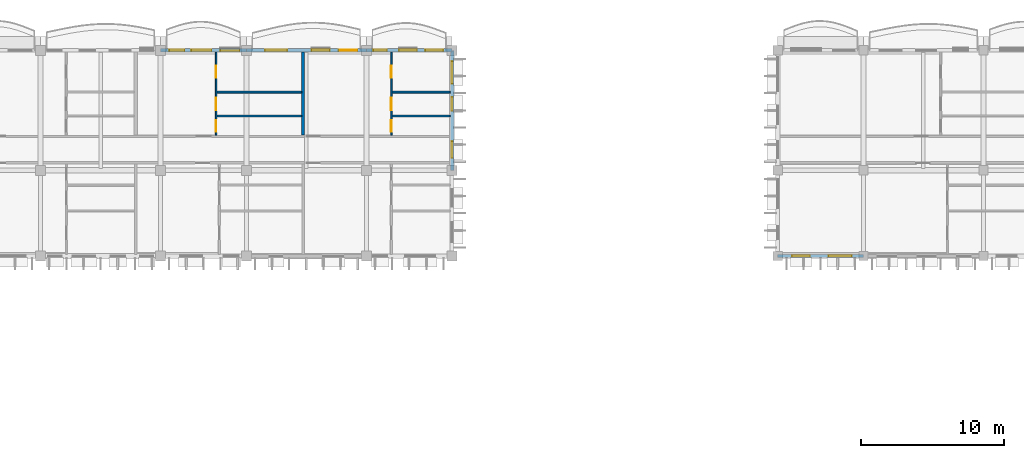
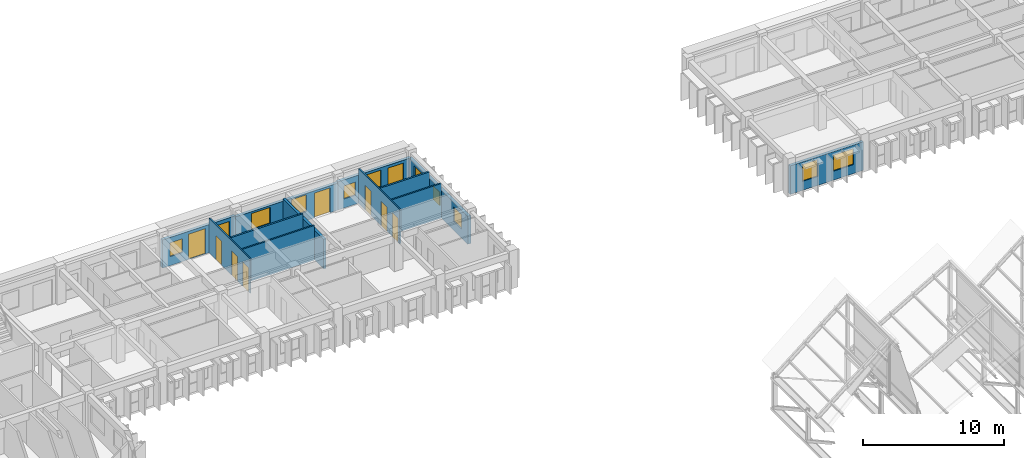
# One storey, part 53 of 101: 12 walls, 11 windows, 9 doors, 20 openings.
"""IFC4 building model written with IfcOpenShell, lengths in metres."""

from ifc_helpers import new_model, si_unit, direction, frame, frame_2d, origin, place, context, subcontext, project, spatial, rectangle, extrude, material, layer, layer_set, type_object, element, fill, save


model = new_model("IFC4")

# Units and contexts
model_context = context("Model", 3, precision=1e-05, world=origin(), true_north=direction((0.0, 1.0)))
body_context = subcontext(model_context, "Body", "Model", "MODEL_VIEW")
ifc_project = project(units=[si_unit("LENGTHUNIT", "METRE"), si_unit("AREAUNIT", "SQUARE_METRE"), si_unit("VOLUMEUNIT", "CUBIC_METRE"), si_unit("PLANEANGLEUNIT", "RADIAN"), si_unit("MASSUNIT", "GRAM", prefix="KILO"), si_unit("THERMODYNAMICTEMPERATUREUNIT", "KELVIN")], contexts=[model_context])

# Site, building, storey
site_placement = place(None, origin())
site = spatial("IfcSite", under=ifc_project, at=site_placement, CompositionType="ELEMENT")
building_placement = place(site_placement, origin())
building = spatial("IfcBuilding", under=site, at=building_placement, Name="Thalorik Housing Commons", CompositionType="ELEMENT")
storey_placement = place(building_placement, frame((0.0, 0.0, 8.10009765625)))
storey = spatial("IfcBuildingStorey", under=building, at=storey_placement, Name="L02", CompositionType="ELEMENT", Elevation=8.10009765625)

# Wall, openings, windows
ifc_material_1 = material(Name="White precast concrete C40/50", Category="concrete")
ifc_layer_1 = layer(ifc_material_1, 0.235107421875, Name="White precast concrete C40/50", Category="concrete")
ifc_layer_set_1 = layer_set([ifc_layer_1], Name="White precast concrete C40/50")
wall_type_1 = type_object("IfcWallType", Name="ARC-WAL-EXT-235", PredefinedType="STANDARD", material=ifc_layer_set_1)
wall_1_placement = place(storey_placement, frame((80.39990234375, 109.199951171875, 0.0), z_axis=(0.0, 0.0, 1.0), x_axis=(1.0, 0.0, 0.0)))
wall_1 = element("IfcWall", 1, at=wall_1_placement, inside=storey, type_object=wall_type_1, Name="L02 Exterior Wall WAL-EXT-L02-B-0462", PredefinedType="STANDARD", context=body_context, shape_type="SweptSolid", body=[
    extrude(rectangle(XDim=6.0, YDim=0.235107421875, at=frame_2d((3.0, 0.0))), origin(), (0.0, 0.0, 1.0), 2.474853515625),
])
opening_1_placement = place(wall_1_placement, frame((1.0048828125, 0.0, 0.780029296875)))
opening_1 = element("IfcOpeningElement", 2, at=opening_1_placement, cuts=wall_1, Name="Opening W-47", PredefinedType="OPENING", context=body_context, shape_type="SweptSolid", body=[
    extrude(rectangle(XDim=1.25, YDim=1.449951171875, at=frame_2d((0.625, 0.72509765625))), frame((0.0, 0.12744140625, 0.0), z_axis=(0.0, -1.0, 0.0), x_axis=(1.0, 0.0, 0.0)), (0.0, 0.0, 1.0), 0.255126953125),
])
opening_2_placement = place(wall_1_placement, frame((3.56005859375, 0.0, 0.780029296875)))
opening_2 = element("IfcOpeningElement", 3, at=opening_2_placement, cuts=wall_1, Name="Opening W-54", PredefinedType="OPENING", context=body_context, shape_type="SweptSolid", body=[
    extrude(rectangle(XDim=1.6201171875, YDim=1.3798828125, at=frame_2d((0.81005859375, 0.68994140625))), frame((0.0, 0.12744140625, 0.0), z_axis=(0.0, -1.0, 0.0), x_axis=(1.0, 0.0, 0.0)), (0.0, 0.0, 1.0), 0.255126953125),
])
ifc_material_2 = material(Name="Anodised aluminium and solar-control low-E glass", Category="aluminium")
window_type_1 = type_object("IfcWindowType", Name="ARC-WIN-47", PartitioningType="SINGLE_PANEL", PredefinedType="WINDOW", material=ifc_material_2)
window_1_placement = place(opening_1_placement, origin())
window_1 = element("IfcWindow", 4, at=window_1_placement, inside=storey, type_object=window_type_1, Name="L02 Facade Window 821", OverallHeight=1.449951171875, OverallWidth=1.25, PartitioningType="SINGLE_PANEL", PredefinedType="WINDOW", context=body_context, shape_type="SweptSolid", body=[
    extrude(rectangle(XDim=1.25, YDim=1.449951171875, at=frame_2d((0.625, 0.72509765625))), frame((0.0, 0.030029296875, 0.0), z_axis=(0.0, -1.0, 0.0), x_axis=(1.0, 0.0, 0.0)), (0.0, 0.0, 1.0), 0.06005859375),
])
fill(opening_1, window_1)
window_type_2 = type_object("IfcWindowType", Name="ARC-WIN-54", PartitioningType="DOUBLE_PANEL_VERTICAL", PredefinedType="WINDOW", material=ifc_material_2)
window_2_placement = place(opening_2_placement, origin())
window_2 = element("IfcWindow", 5, at=window_2_placement, inside=storey, type_object=window_type_2, Name="L02 Facade Window 822", OverallHeight=1.3798828125, OverallWidth=1.6201171875, PartitioningType="DOUBLE_PANEL_VERTICAL", PredefinedType="WINDOW", context=body_context, shape_type="SweptSolid", body=[
    extrude(rectangle(XDim=1.6201171875, YDim=1.3798828125, at=frame_2d((0.81005859375, 0.68994140625))), frame((0.0, 0.030029296875, 0.0), z_axis=(0.0, -1.0, 0.0), x_axis=(1.0, 0.0, 0.0)), (0.0, 0.0, 1.0), 0.06005859375),
])
fill(opening_2, window_2)

ifc_layer_2 = layer(ifc_material_1, 0.2451171875, Name="White precast concrete C40/50", Category="concrete")
ifc_layer_set_2 = layer_set([ifc_layer_2], Name="White precast concrete C40/50")
wall_type_2 = type_object("IfcWallType", Name="ARC-WAL-EXT-245", PredefinedType="STANDARD", material=ifc_layer_set_2)
wall_2_placement = place(storey_placement, frame((57.60009765625, 115.199951171875, 0.0), z_axis=(0.0, 0.0, 1.0), x_axis=(0.0, 1.0, 0.0)))
wall_2 = element("IfcWall", 6, at=wall_2_placement, inside=storey, type_object=wall_type_2, Name="L02 Exterior Wall WAL-EXT-L02-A-0063", PredefinedType="STANDARD", context=body_context, shape_type="SweptSolid", body=[
    extrude(rectangle(XDim=8.400146484375, YDim=0.2451171875, at=frame_2d((4.2001953125, 0.0))), origin(), (0.0, 0.0, 1.0), 2.4248046875),
])
opening_3_placement = place(wall_2_placement, frame((0.875, 0.0, 0.780029296875)))
opening_3 = element("IfcOpeningElement", 7, at=opening_3_placement, cuts=wall_2, Name="Opening W-45", PredefinedType="OPENING", context=body_context, shape_type="SweptSolid", body=[
    extrude(rectangle(XDim=1.14990234375, YDim=1.25, at=frame_2d((0.574951171875, 0.625))), frame((0.0, 0.132568359375, 0.0), z_axis=(0.0, -1.0, 0.0), x_axis=(1.0, 0.0, 0.0)), (0.0, 0.0, 1.0), 0.26513671875),
])
opening_4_placement = place(wall_2_placement, frame((4.169921875, 0.0, 0.780029296875)))
opening_4 = element("IfcOpeningElement", 8, at=opening_4_placement, cuts=wall_2, Name="Opening W-43", PredefinedType="OPENING", context=body_context, shape_type="SweptSolid", body=[
    extrude(rectangle(XDim=0.949951171875, YDim=1.14990234375, at=frame_2d((0.47509765625, 0.574951171875))), frame((0.0, 0.132568359375, 0.0), z_axis=(0.0, -1.0, 0.0), x_axis=(1.0, 0.0, 0.0)), (0.0, 0.0, 1.0), 0.26513671875),
])
opening_5_placement = place(wall_2_placement, frame((6.069580078125, 0.0, 0.780029296875)))
opening_5 = element("IfcOpeningElement", 9, at=opening_5_placement, cuts=wall_2, Name="Opening W-12", PredefinedType="OPENING", context=body_context, shape_type="SweptSolid", body=[
    extrude(rectangle(XDim=1.550048828125, YDim=1.39990234375, at=frame_2d((0.77490234375, 0.699951171875))), frame((0.0, 0.132568359375, 0.0), z_axis=(0.0, -1.0, 0.0), x_axis=(1.0, 0.0, 0.0)), (0.0, 0.0, 1.0), 0.26513671875),
])
window_type_3 = type_object("IfcWindowType", Name="ARC-WIN-12", PartitioningType="SINGLE_PANEL", PredefinedType="WINDOW", material=ifc_material_2)
window_3_placement = place(opening_5_placement, origin())
window_3 = element("IfcWindow", 10, at=window_3_placement, inside=storey, type_object=window_type_3, Name="L02 Facade Window 111", OverallHeight=1.39990234375, OverallWidth=1.550048828125, PartitioningType="SINGLE_PANEL", PredefinedType="WINDOW", context=body_context, shape_type="SweptSolid", body=[
    extrude(rectangle(XDim=1.550048828125, YDim=1.39990234375, at=frame_2d((0.77490234375, 0.699951171875))), frame((0.0, 0.030029296875, 0.0), z_axis=(0.0, -1.0, 0.0), x_axis=(1.0, 0.0, 0.0)), (0.0, 0.0, 1.0), 0.06005859375),
])
fill(opening_5, window_3)
window_type_4 = type_object("IfcWindowType", Name="ARC-WIN-43", PartitioningType="SINGLE_PANEL", PredefinedType="WINDOW", material=ifc_material_2)
window_4_placement = place(opening_4_placement, origin())
window_4 = element("IfcWindow", 11, at=window_4_placement, inside=storey, type_object=window_type_4, Name="L02 Facade Window 110", OverallHeight=1.14990234375, OverallWidth=0.949951171875, PartitioningType="SINGLE_PANEL", PredefinedType="WINDOW", context=body_context, shape_type="SweptSolid", body=[
    extrude(rectangle(XDim=0.949951171875, YDim=1.14990234375, at=frame_2d((0.47509765625, 0.574951171875))), frame((0.0, 0.030029296875, 0.0), z_axis=(0.0, -1.0, 0.0), x_axis=(1.0, 0.0, 0.0)), (0.0, 0.0, 1.0), 0.06005859375),
])
fill(opening_4, window_4)
window_type_5 = type_object("IfcWindowType", Name="ARC-WIN-45", PartitioningType="SINGLE_PANEL", PredefinedType="WINDOW", material=ifc_material_2)
window_5_placement = place(opening_3_placement, origin())
window_5 = element("IfcWindow", 12, at=window_5_placement, inside=storey, type_object=window_type_5, Name="L02 Facade Window 109", OverallHeight=1.25, OverallWidth=1.14990234375, PartitioningType="SINGLE_PANEL", PredefinedType="WINDOW", context=body_context, shape_type="SweptSolid", body=[
    extrude(rectangle(XDim=1.14990234375, YDim=1.25, at=frame_2d((0.574951171875, 0.625))), frame((0.0, 0.030029296875, 0.0), z_axis=(0.0, -1.0, 0.0), x_axis=(1.0, 0.0, 0.0)), (0.0, 0.0, 1.0), 0.06005859375),
])
fill(opening_3, window_5)

# Wall, openings, door, windows
wall_3_placement = place(storey_placement, frame((57.60009765625, 123.60009765625, 0.0), z_axis=(0.0, 0.0, 1.0), x_axis=(-1.0, 0.0, 0.0)))
wall_3 = element("IfcWall", 13, at=wall_3_placement, inside=storey, type_object=wall_type_2, Name="L02 Exterior Wall WAL-EXT-L02-A-0064", PredefinedType="STANDARD", context=body_context, shape_type="SweptSolid", body=[
    extrude(rectangle(XDim=6.0, YDim=0.2451171875, at=frame_2d((3.0, 0.0))), origin(), (0.0, 0.0, 1.0), 2.44482421875),
])
opening_6_placement = place(wall_3_placement, frame((0.6201171875, 0.0, 0.0)))
opening_6 = element("IfcOpeningElement", 14, at=opening_6_placement, cuts=wall_3, Name="Opening ED-0010", PredefinedType="OPENING", context=body_context, shape_type="SweptSolid", body=[
    extrude(rectangle(XDim=1.25, YDim=2.199951171875, at=frame_2d((0.625, 1.10009765625))), frame((0.0, 0.132568359375, 0.0), z_axis=(0.0, -1.0, 0.0), x_axis=(1.0, 0.0, 0.0)), (0.0, 0.0, 1.0), 0.26513671875),
])
opening_7_placement = place(wall_3_placement, frame((2.45849609375, 0.0, 0.780029296875)))
opening_7 = element("IfcOpeningElement", 15, at=opening_7_placement, cuts=wall_3, Name="Opening W-47", PredefinedType="OPENING", context=body_context, shape_type="SweptSolid", body=[
    extrude(rectangle(XDim=1.25, YDim=1.449951171875, at=frame_2d((0.625, 0.72509765625))), frame((0.0, 0.132568359375, 0.0), z_axis=(0.0, -1.0, 0.0), x_axis=(1.0, 0.0, 0.0)), (0.0, 0.0, 1.0), 0.26513671875),
])
opening_8_placement = place(wall_3_placement, frame((4.5537109375, 0.0, 0.780029296875)))
opening_8 = element("IfcOpeningElement", 16, at=opening_8_placement, cuts=wall_3, Name="Opening W-43", PredefinedType="OPENING", context=body_context, shape_type="SweptSolid", body=[
    extrude(rectangle(XDim=0.949951171875, YDim=1.14990234375, at=frame_2d((0.47509765625, 0.574951171875))), frame((0.0, 0.132568359375, 0.0), z_axis=(0.0, -1.0, 0.0), x_axis=(1.0, 0.0, 0.0)), (0.0, 0.0, 1.0), 0.26513671875),
])
ifc_material_3 = material(Name="Anodised aluminium and laminated safety glass", Category="aluminium")
door_type_1 = type_object("IfcDoorType", Name="ARC-DR-BAL-1250", OperationType="NOTDEFINED", PredefinedType="DOOR", material=ifc_material_3)
door_1_placement = place(opening_6_placement, frame((1.25, 0.0, 0.0), z_axis=(0.0, 0.0, 1.0), x_axis=(-1.0, 0.0, 0.0)))
door_1 = element("IfcDoor", 17, at=door_1_placement, inside=storey, type_object=door_type_1, Name="L02 Block A Balcony Glazed Door", OperationType="SINGLE_SWING_LEFT", OverallHeight=2.199951171875, OverallWidth=1.25, PredefinedType="DOOR", context=body_context, shape_type="SweptSolid", body=[
    extrude(rectangle(XDim=1.25, YDim=2.199951171875, at=frame_2d((0.625, 1.10009765625))), frame((0.0, 0.02490234375, 0.0), z_axis=(0.0, -1.0, 0.0), x_axis=(1.0, 0.0, 0.0)), (0.0, 0.0, 1.0), 0.050048828125),
])
fill(opening_6, door_1)
window_6_placement = place(opening_8_placement, origin())
window_6 = element("IfcWindow", 18, at=window_6_placement, inside=storey, type_object=window_type_4, Name="L02 Facade Window 113", OverallHeight=1.14990234375, OverallWidth=0.949951171875, PartitioningType="SINGLE_PANEL", PredefinedType="WINDOW", context=body_context, shape_type="SweptSolid", body=[
    extrude(rectangle(XDim=0.949951171875, YDim=1.14990234375, at=frame_2d((0.47509765625, 0.574951171875))), frame((0.0, 0.030029296875, 0.0), z_axis=(0.0, -1.0, 0.0), x_axis=(1.0, 0.0, 0.0)), (0.0, 0.0, 1.0), 0.06005859375),
])
fill(opening_8, window_6)
window_7_placement = place(opening_7_placement, origin())
window_7 = element("IfcWindow", 19, at=window_7_placement, inside=storey, type_object=window_type_1, Name="L02 Facade Window 112", OverallHeight=1.449951171875, OverallWidth=1.25, PartitioningType="SINGLE_PANEL", PredefinedType="WINDOW", context=body_context, shape_type="SweptSolid", body=[
    extrude(rectangle(XDim=1.25, YDim=1.449951171875, at=frame_2d((0.625, 0.72509765625))), frame((0.0, 0.030029296875, 0.0), z_axis=(0.0, -1.0, 0.0), x_axis=(1.0, 0.0, 0.0)), (0.0, 0.0, 1.0), 0.06005859375),
])
fill(opening_7, window_7)

wall_4_placement = place(storey_placement, frame((51.60009765625, 123.60009765625, 0.0), z_axis=(0.0, 0.0, 1.0), x_axis=(-1.0, 0.0, 0.0)))
wall_4 = element("IfcWall", 20, at=wall_4_placement, inside=storey, type_object=wall_type_2, Name="L02 Exterior Wall WAL-EXT-L02-A-0065", PredefinedType="STANDARD", context=body_context, shape_type="SweptSolid", body=[
    extrude(rectangle(XDim=8.400146484375, YDim=0.2451171875, at=frame_2d((4.2001953125, 0.0))), origin(), (0.0, 0.0, 1.0), 2.344970703125),
])
opening_9_placement = place(wall_4_placement, frame((0.6201171875, 0.0, 0.0)))
opening_9 = element("IfcOpeningElement", 21, at=opening_9_placement, cuts=wall_4, Name="Opening ED-0011", PredefinedType="OPENING", context=body_context, shape_type="SweptSolid", body=[
    extrude(rectangle(XDim=1.300048828125, YDim=2.14990234375, at=frame_2d((0.64990234375, 1.074951171875))), frame((0.0, 0.132568359375, 0.0), z_axis=(0.0, -1.0, 0.0), x_axis=(1.0, 0.0, 0.0)), (0.0, 0.0, 1.0), 0.26513671875),
])
opening_10_placement = place(wall_4_placement, frame((2.570068359375, 0.0, 0.780029296875)))
opening_10 = element("IfcOpeningElement", 22, at=opening_10_placement, cuts=wall_4, Name="Opening W-47", PredefinedType="OPENING", context=body_context, shape_type="SweptSolid", body=[
    extrude(rectangle(XDim=1.25, YDim=1.449951171875, at=frame_2d((0.625, 0.72509765625))), frame((0.0, 0.132568359375, 0.0), z_axis=(0.0, -1.0, 0.0), x_axis=(1.0, 0.0, 0.0)), (0.0, 0.0, 1.0), 0.26513671875),
])
opening_11_placement = place(wall_4_placement, frame((5.5400390625, 0.0, 0.780029296875)))
opening_11 = element("IfcOpeningElement", 23, at=opening_11_placement, cuts=wall_4, Name="Opening W-12", PredefinedType="OPENING", context=body_context, shape_type="SweptSolid", body=[
    extrude(rectangle(XDim=1.550048828125, YDim=1.39990234375, at=frame_2d((0.77490234375, 0.699951171875))), frame((0.0, 0.132568359375, 0.0), z_axis=(0.0, -1.0, 0.0), x_axis=(1.0, 0.0, 0.0)), (0.0, 0.0, 1.0), 0.26513671875),
])
door_type_2 = type_object("IfcDoorType", Name="ARC-DR-BAL-1300", OperationType="NOTDEFINED", PredefinedType="DOOR", material=ifc_material_3)
door_2_placement = place(opening_9_placement, frame((1.300048828125, 0.0, 0.0), z_axis=(0.0, 0.0, 1.0), x_axis=(-1.0, 0.0, 0.0)))
door_2 = element("IfcDoor", 24, at=door_2_placement, inside=storey, type_object=door_type_2, Name="L02 Block A Balcony Glazed Door", OperationType="SINGLE_SWING_RIGHT", OverallHeight=2.14990234375, OverallWidth=1.300048828125, PredefinedType="DOOR", context=body_context, shape_type="SweptSolid", body=[
    extrude(rectangle(XDim=1.300048828125, YDim=2.14990234375, at=frame_2d((0.64990234375, 1.074951171875))), frame((0.0, 0.02490234375, 0.0), z_axis=(0.0, -1.0, 0.0), x_axis=(1.0, 0.0, 0.0)), (0.0, 0.0, 1.0), 0.050048828125),
])
fill(opening_9, door_2)
window_8_placement = place(opening_11_placement, origin())
window_8 = element("IfcWindow", 25, at=window_8_placement, inside=storey, type_object=window_type_3, Name="L02 Facade Window 115", OverallHeight=1.39990234375, OverallWidth=1.550048828125, PartitioningType="SINGLE_PANEL", PredefinedType="WINDOW", context=body_context, shape_type="SweptSolid", body=[
    extrude(rectangle(XDim=1.550048828125, YDim=1.39990234375, at=frame_2d((0.77490234375, 0.699951171875))), frame((0.0, 0.030029296875, 0.0), z_axis=(0.0, -1.0, 0.0), x_axis=(1.0, 0.0, 0.0)), (0.0, 0.0, 1.0), 0.06005859375),
])
fill(opening_11, window_8)
window_9_placement = place(opening_10_placement, origin())
window_9 = element("IfcWindow", 26, at=window_9_placement, inside=storey, type_object=window_type_1, Name="L02 Facade Window 114", OverallHeight=1.449951171875, OverallWidth=1.25, PartitioningType="SINGLE_PANEL", PredefinedType="WINDOW", context=body_context, shape_type="SweptSolid", body=[
    extrude(rectangle(XDim=1.25, YDim=1.449951171875, at=frame_2d((0.625, 0.72509765625))), frame((0.0, 0.030029296875, 0.0), z_axis=(0.0, -1.0, 0.0), x_axis=(1.0, 0.0, 0.0)), (0.0, 0.0, 1.0), 0.06005859375),
])
fill(opening_10, window_9)

wall_5_placement = place(storey_placement, frame((43.199951171875, 123.60009765625, 0.0), z_axis=(0.0, 0.0, 1.0), x_axis=(-1.0, 0.0, 0.0)))
wall_5 = element("IfcWall", 27, at=wall_5_placement, inside=storey, type_object=wall_type_2, Name="L02 Exterior Wall WAL-EXT-L02-A-0066", PredefinedType="STANDARD", context=body_context, shape_type="SweptSolid", body=[
    extrude(rectangle(XDim=6.0, YDim=0.2451171875, at=frame_2d((3.0, 0.0))), origin(), (0.0, 0.0, 1.0), 2.44482421875),
])
opening_12_placement = place(wall_5_placement, frame((2.4443359375, 0.0, 0.0)))
opening_12 = element("IfcOpeningElement", 28, at=opening_12_placement, cuts=wall_5, Name="Opening ED-0012", PredefinedType="OPENING", context=body_context, shape_type="SweptSolid", body=[
    extrude(rectangle(XDim=1.39990234375, YDim=2.199951171875, at=frame_2d((0.699951171875, 1.10009765625))), frame((0.0, 0.132568359375, 0.0), z_axis=(0.0, -1.0, 0.0), x_axis=(1.0, 0.0, 0.0)), (0.0, 0.0, 1.0), 0.26513671875),
])
opening_13_placement = place(wall_5_placement, frame((0.4921875, 0.0, 0.780029296875)))
opening_13 = element("IfcOpeningElement", 29, at=opening_13_placement, cuts=wall_5, Name="Opening W-48", PredefinedType="OPENING", context=body_context, shape_type="SweptSolid", body=[
    extrude(rectangle(XDim=1.320068359375, YDim=1.35009765625, at=frame_2d((0.66015625, 0.675048828125))), frame((0.0, 0.132568359375, 0.0), z_axis=(0.0, -1.0, 0.0), x_axis=(1.0, 0.0, 0.0)), (0.0, 0.0, 1.0), 0.26513671875),
])
opening_14_placement = place(wall_5_placement, frame((4.3271484375, 0.0, 0.780029296875)))
opening_14 = element("IfcOpeningElement", 30, at=opening_14_placement, cuts=wall_5, Name="Opening W-44", PredefinedType="OPENING", context=body_context, shape_type="SweptSolid", body=[
    extrude(rectangle(XDim=1.050048828125, YDim=1.199951171875, at=frame_2d((0.52490234375, 0.60009765625))), frame((0.0, 0.132568359375, 0.0), z_axis=(0.0, -1.0, 0.0), x_axis=(1.0, 0.0, 0.0)), (0.0, 0.0, 1.0), 0.26513671875),
])
door_type_3 = type_object("IfcDoorType", Name="ARC-DR-BAL-1400", OperationType="NOTDEFINED", PredefinedType="DOOR", material=ifc_material_3)
door_3_placement = place(opening_12_placement, frame((1.39990234375, 0.0, 0.0), z_axis=(0.0, 0.0, 1.0), x_axis=(-1.0, 0.0, 0.0)))
door_3 = element("IfcDoor", 31, at=door_3_placement, inside=storey, type_object=door_type_3, Name="L02 Block A Balcony Glazed Door", OperationType="SLIDING_TO_LEFT", OverallHeight=2.199951171875, OverallWidth=1.39990234375, PredefinedType="DOOR", context=body_context, shape_type="SweptSolid", body=[
    extrude(rectangle(XDim=1.39990234375, YDim=2.199951171875, at=frame_2d((0.699951171875, 1.10009765625))), frame((0.0, 0.02490234375, 0.0), z_axis=(0.0, -1.0, 0.0), x_axis=(1.0, 0.0, 0.0)), (0.0, 0.0, 1.0), 0.050048828125),
])
fill(opening_12, door_3)
window_type_6 = type_object("IfcWindowType", Name="ARC-WIN-44", PartitioningType="SINGLE_PANEL", PredefinedType="WINDOW", material=ifc_material_2)
window_10_placement = place(opening_14_placement, origin())
window_10 = element("IfcWindow", 32, at=window_10_placement, inside=storey, type_object=window_type_6, Name="L02 Facade Window 117", OverallHeight=1.199951171875, OverallWidth=1.050048828125, PartitioningType="SINGLE_PANEL", PredefinedType="WINDOW", context=body_context, shape_type="SweptSolid", body=[
    extrude(rectangle(XDim=1.050048828125, YDim=1.199951171875, at=frame_2d((0.52490234375, 0.60009765625))), frame((0.0, 0.030029296875, 0.0), z_axis=(0.0, -1.0, 0.0), x_axis=(1.0, 0.0, 0.0)), (0.0, 0.0, 1.0), 0.06005859375),
])
fill(opening_14, window_10)
window_type_7 = type_object("IfcWindowType", Name="ARC-WIN-48", PartitioningType="SINGLE_PANEL", PredefinedType="WINDOW", material=ifc_material_2)
window_11_placement = place(opening_13_placement, origin())
window_11 = element("IfcWindow", 33, at=window_11_placement, inside=storey, type_object=window_type_7, Name="L02 Facade Window 116", OverallHeight=1.35009765625, OverallWidth=1.320068359375, PartitioningType="SINGLE_PANEL", PredefinedType="WINDOW", context=body_context, shape_type="SweptSolid", body=[
    extrude(rectangle(XDim=1.320068359375, YDim=1.35009765625, at=frame_2d((0.66015625, 0.675048828125))), frame((0.0, 0.030029296875, 0.0), z_axis=(0.0, -1.0, 0.0), x_axis=(1.0, 0.0, 0.0)), (0.0, 0.0, 1.0), 0.06005859375),
])
fill(opening_13, window_11)

# Wall, openings, doors
ifc_material_4 = material(Name="Gypsum light stud partition", Category="masonry")
ifc_layer_3 = layer(ifc_material_4, 0.10009765625, Name="Gypsum light stud partition", Category="masonry")
ifc_layer_set_3 = layer_set([ifc_layer_3], Name="Gypsum light stud partition")
wall_type_3 = type_object("IfcWallType", Name="ARC-WAL-PART-100", PredefinedType="PARTITIONING", material=ifc_layer_set_3)
wall_6_placement = place(storey_placement, frame((41.085693359375, 117.656982421875, 0.0), z_axis=(0.0, 0.0, 1.0), x_axis=(0.0, 1.0, 0.0)))
wall_6 = element("IfcWall", 34, at=wall_6_placement, inside=storey, type_object=wall_type_3, Name="L02 Unit 2B Spine Partition", PredefinedType="PARTITIONING", context=body_context, shape_type="SweptSolid", body=[
    extrude(rectangle(XDim=5.818603515625, YDim=0.10009765625, at=frame_2d((2.9091796875, 0.0))), origin(), (0.0, 0.0, 1.0), 3.0),
])
opening_15_placement = place(wall_6_placement, frame((0.23828125, 0.0, 0.0)))
opening_15 = element("IfcOpeningElement", 35, at=opening_15_placement, cuts=wall_6, Name="Opening ID-0462", PredefinedType="OPENING", context=body_context, shape_type="SweptSolid", body=[
    extrude(rectangle(XDim=0.800048828125, YDim=2.10009765625, at=frame_2d((0.39990234375, 1.050048828125))), frame((0.0, 0.06005859375, 0.0), z_axis=(0.0, -1.0, 0.0), x_axis=(1.0, 0.0, 0.0)), (0.0, 0.0, 1.0), 0.1201171875),
])
opening_16_placement = place(wall_6_placement, frame((1.7626953125, 0.0, 0.0)))
opening_16 = element("IfcOpeningElement", 36, at=opening_16_placement, cuts=wall_6, Name="Opening ID-0463", PredefinedType="OPENING", context=body_context, shape_type="SweptSolid", body=[
    extrude(rectangle(XDim=0.85009765625, YDim=2.10009765625, at=frame_2d((0.425048828125, 1.050048828125))), frame((0.0, 0.06005859375, 0.0), z_axis=(0.0, -1.0, 0.0), x_axis=(1.0, 0.0, 0.0)), (0.0, 0.0, 1.0), 0.1201171875),
])
opening_17_placement = place(wall_6_placement, frame((4.027587890625, 0.0, 0.0)))
opening_17 = element("IfcOpeningElement", 37, at=opening_17_placement, cuts=wall_6, Name="Opening ID-0464", PredefinedType="OPENING", context=body_context, shape_type="SweptSolid", body=[
    extrude(rectangle(XDim=0.820068359375, YDim=2.080078125, at=frame_2d((0.41015625, 1.0400390625))), frame((0.0, 0.06005859375, 0.0), z_axis=(0.0, -1.0, 0.0), x_axis=(1.0, 0.0, 0.0)), (0.0, 0.0, 1.0), 0.1201171875),
])
ifc_material_5 = material(Name="Moisture-resistant timber", Category="wood")
door_type_4 = type_object("IfcDoorType", Name="ARC-DR-INT-800", OperationType="NOTDEFINED", PredefinedType="DOOR", material=ifc_material_5)
door_4_placement = place(opening_15_placement, origin())
door_4 = element("IfcDoor", 38, at=door_4_placement, inside=storey, type_object=door_type_4, Name="L02 Flat Bathroom Door", OperationType="SINGLE_SWING_LEFT", OverallHeight=2.10009765625, OverallWidth=0.800048828125, PredefinedType="DOOR", context=body_context, shape_type="SweptSolid", body=[
    extrude(rectangle(XDim=0.800048828125, YDim=2.10009765625, at=frame_2d((0.39990234375, 1.050048828125))), frame((0.0, 0.02490234375, 0.0), z_axis=(0.0, -1.0, 0.0), x_axis=(1.0, 0.0, 0.0)), (0.0, 0.0, 1.0), 0.050048828125),
])
fill(opening_15, door_4)
ifc_material_6 = material(Name="Engineered oak timber", Category="wood")
door_type_5 = type_object("IfcDoorType", Name="ARC-DR-INT-820", OperationType="NOTDEFINED", PredefinedType="DOOR", material=ifc_material_6)
door_5_placement = place(opening_17_placement, origin())
door_5 = element("IfcDoor", 39, at=door_5_placement, inside=storey, type_object=door_type_5, Name="L02 Master Bedroom Door", OperationType="SINGLE_SWING_LEFT", OverallHeight=2.080078125, OverallWidth=0.820068359375, PredefinedType="DOOR", context=body_context, shape_type="SweptSolid", body=[
    extrude(rectangle(XDim=0.820068359375, YDim=2.080078125, at=frame_2d((0.41015625, 1.0400390625))), frame((0.0, 0.02490234375, 0.0), z_axis=(0.0, -1.0, 0.0), x_axis=(1.0, 0.0, 0.0)), (0.0, 0.0, 1.0), 0.050048828125),
])
fill(opening_17, door_5)
door_type_6 = type_object("IfcDoorType", Name="ARC-DR-INT-850", OperationType="NOTDEFINED", PredefinedType="DOOR", material=ifc_material_6)
door_6_placement = place(opening_16_placement, origin())
door_6 = element("IfcDoor", 40, at=door_6_placement, inside=storey, type_object=door_type_6, Name="L02 Eat-In Kitchen Door", OperationType="SINGLE_SWING_RIGHT", OverallHeight=2.10009765625, OverallWidth=0.85009765625, PredefinedType="DOOR", context=body_context, shape_type="SweptSolid", body=[
    extrude(rectangle(XDim=0.85009765625, YDim=2.10009765625, at=frame_2d((0.425048828125, 1.050048828125))), frame((0.0, 0.02490234375, 0.0), z_axis=(0.0, -1.0, 0.0), x_axis=(1.0, 0.0, 0.0)), (0.0, 0.0, 1.0), 0.050048828125),
])
fill(opening_16, door_6)

wall_7_placement = place(storey_placement, frame((53.352783203125, 117.656982421875, 0.0), z_axis=(0.0, 0.0, 1.0), x_axis=(0.0, 1.0, 0.0)))
wall_7 = element("IfcWall", 41, at=wall_7_placement, inside=storey, type_object=wall_type_3, Name="L02 Unit 3B Spine Partition", PredefinedType="PARTITIONING", context=body_context, shape_type="SweptSolid", body=[
    extrude(rectangle(XDim=5.818603515625, YDim=0.10009765625, at=frame_2d((2.9091796875, 0.0))), origin(), (0.0, 0.0, 1.0), 3.0),
])
opening_18_placement = place(wall_7_placement, frame((0.23828125, 0.0, 0.0)))
opening_18 = element("IfcOpeningElement", 42, at=opening_18_placement, cuts=wall_7, Name="Opening ID-0468", PredefinedType="OPENING", context=body_context, shape_type="SweptSolid", body=[
    extrude(rectangle(XDim=0.800048828125, YDim=2.10009765625, at=frame_2d((0.39990234375, 1.050048828125))), frame((0.0, 0.06005859375, 0.0), z_axis=(0.0, -1.0, 0.0), x_axis=(1.0, 0.0, 0.0)), (0.0, 0.0, 1.0), 0.1201171875),
])
opening_19_placement = place(wall_7_placement, frame((1.7626953125, 0.0, 0.0)))
opening_19 = element("IfcOpeningElement", 43, at=opening_19_placement, cuts=wall_7, Name="Opening ID-0469", PredefinedType="OPENING", context=body_context, shape_type="SweptSolid", body=[
    extrude(rectangle(XDim=0.85009765625, YDim=2.10009765625, at=frame_2d((0.425048828125, 1.050048828125))), frame((0.0, 0.06005859375, 0.0), z_axis=(0.0, -1.0, 0.0), x_axis=(1.0, 0.0, 0.0)), (0.0, 0.0, 1.0), 0.1201171875),
])
opening_20_placement = place(wall_7_placement, frame((4.027587890625, 0.0, 0.0)))
opening_20 = element("IfcOpeningElement", 44, at=opening_20_placement, cuts=wall_7, Name="Opening ID-0470", PredefinedType="OPENING", context=body_context, shape_type="SweptSolid", body=[
    extrude(rectangle(XDim=0.85009765625, YDim=2.10009765625, at=frame_2d((0.425048828125, 1.050048828125))), frame((0.0, 0.06005859375, 0.0), z_axis=(0.0, -1.0, 0.0), x_axis=(1.0, 0.0, 0.0)), (0.0, 0.0, 1.0), 0.1201171875),
])
door_7_placement = place(opening_18_placement, origin())
door_7 = element("IfcDoor", 45, at=door_7_placement, inside=storey, type_object=door_type_4, Name="L02 Flat Bathroom Door", OperationType="SINGLE_SWING_LEFT", OverallHeight=2.10009765625, OverallWidth=0.800048828125, PredefinedType="DOOR", context=body_context, shape_type="SweptSolid", body=[
    extrude(rectangle(XDim=0.800048828125, YDim=2.10009765625, at=frame_2d((0.39990234375, 1.050048828125))), frame((0.0, 0.02490234375, 0.0), z_axis=(0.0, -1.0, 0.0), x_axis=(1.0, 0.0, 0.0)), (0.0, 0.0, 1.0), 0.050048828125),
])
fill(opening_18, door_7)
door_8_placement = place(opening_19_placement, origin())
door_8 = element("IfcDoor", 46, at=door_8_placement, inside=storey, type_object=door_type_6, Name="L02 Galley Kitchen Door", OperationType="SINGLE_SWING_RIGHT", OverallHeight=2.10009765625, OverallWidth=0.85009765625, PredefinedType="DOOR", context=body_context, shape_type="SweptSolid", body=[
    extrude(rectangle(XDim=0.85009765625, YDim=2.10009765625, at=frame_2d((0.425048828125, 1.050048828125))), frame((0.0, 0.02490234375, 0.0), z_axis=(0.0, -1.0, 0.0), x_axis=(1.0, 0.0, 0.0)), (0.0, 0.0, 1.0), 0.050048828125),
])
fill(opening_19, door_8)
door_9_placement = place(opening_20_placement, origin())
door_9 = element("IfcDoor", 47, at=door_9_placement, inside=storey, type_object=door_type_6, Name="L02 Double Bedroom Door", OperationType="SINGLE_SWING_LEFT", OverallHeight=2.10009765625, OverallWidth=0.85009765625, PredefinedType="DOOR", context=body_context, shape_type="SweptSolid", body=[
    extrude(rectangle(XDim=0.85009765625, YDim=2.10009765625, at=frame_2d((0.425048828125, 1.050048828125))), frame((0.0, 0.02490234375, 0.0), z_axis=(0.0, -1.0, 0.0), x_axis=(1.0, 0.0, 0.0)), (0.0, 0.0, 1.0), 0.050048828125),
])
fill(opening_20, door_9)

# Walls
ifc_material_7 = material(Name="Gypsum acoustic stud partition", Category="masonry")
ifc_layer_4 = layer(ifc_material_7, 0.125, Name="Gypsum acoustic stud partition", Category="masonry")
ifc_layer_set_4 = layer_set([ifc_layer_4], Name="Gypsum acoustic stud partition")
wall_type_4 = type_object("IfcWallType", Name="ARC-WAL-PART-125", PredefinedType="PARTITIONING", material=ifc_layer_set_4)
wall_8_placement = place(storey_placement, frame((41.1376953125, 119.010498046875, 0.0), z_axis=(0.0, 0.0, 1.0), x_axis=(1.0, 0.0, 0.0)))
element("IfcWall", 48, at=wall_8_placement, inside=storey, type_object=wall_type_4, Name="L02 Unit 2B Wet Wall", PredefinedType="PARTITIONING", context=body_context, shape_type="SweptSolid", body=[
    extrude(rectangle(XDim=5.940185546875, YDim=0.125, at=frame_2d((2.97021484375, 0.0))), origin(), (0.0, 0.0, 1.0), 3.0),
])
wall_9_placement = place(storey_placement, frame((53.40478515625, 119.010498046875, 0.0), z_axis=(0.0, 0.0, 1.0), x_axis=(1.0, 0.0, 0.0)))
element("IfcWall", 49, at=wall_9_placement, inside=storey, type_object=wall_type_4, Name="L02 Unit 3B Wet Wall", PredefinedType="PARTITIONING", context=body_context, shape_type="SweptSolid", body=[
    extrude(rectangle(XDim=4.07080078125, YDim=0.125, at=frame_2d((2.035400390625, 0.0))), origin(), (0.0, 0.0, 1.0), 3.0),
])
ifc_material_8 = material(Name="Ceramic masonry partition wall", Category="masonry")
ifc_layer_5 = layer(ifc_material_8, 0.139892578125, Name="Ceramic masonry partition wall", Category="masonry")
ifc_layer_set_5 = layer_set([ifc_layer_5], Name="Ceramic masonry partition wall")
wall_type_5 = type_object("IfcWallType", Name="ARC-WAL-PART-140", PredefinedType="PARTITIONING", material=ifc_layer_set_5)
wall_10_placement = place(storey_placement, frame((41.1376953125, 120.67919921875, 0.0), z_axis=(0.0, 0.0, 1.0), x_axis=(1.0, 0.0, 0.0)))
element("IfcWall", 50, at=wall_10_placement, inside=storey, type_object=wall_type_5, Name="L02 Unit 2B Bedroom Partition", PredefinedType="PARTITIONING", context=body_context, shape_type="SweptSolid", body=[
    extrude(rectangle(XDim=5.940185546875, YDim=0.139892578125, at=frame_2d((2.97021484375, 0.0))), origin(), (0.0, 0.0, 1.0), 3.0),
])
wall_11_placement = place(storey_placement, frame((53.40478515625, 120.67919921875, 0.0), z_axis=(0.0, 0.0, 1.0), x_axis=(1.0, 0.0, 0.0)))
element("IfcWall", 51, at=wall_11_placement, inside=storey, type_object=wall_type_5, Name="L02 Unit 3B Bedroom Partition", PredefinedType="PARTITIONING", context=body_context, shape_type="SweptSolid", body=[
    extrude(rectangle(XDim=4.07080078125, YDim=0.139892578125, at=frame_2d((2.035400390625, 0.0))), origin(), (0.0, 0.0, 1.0), 3.0),
])
ifc_material_9 = material(Name="Precast concrete C40/50 acoustic wall", Category="concrete")
ifc_layer_6 = layer(ifc_material_9, 0.199951171875, Name="Precast concrete C40/50 acoustic wall", Category="concrete")
ifc_layer_set_6 = layer_set([ifc_layer_6], Name="Precast concrete C40/50 acoustic wall")
wall_type_6 = type_object("IfcWallType", Name="ARC-WAL-PARTY-200", PredefinedType="PARTITIONING", material=ifc_layer_set_6)
wall_12_placement = place(storey_placement, frame((47.179931640625, 117.656982421875, 0.0), z_axis=(0.0, 0.0, 1.0), x_axis=(0.0, 1.0, 0.0)))
element("IfcWall", 52, at=wall_12_placement, inside=storey, type_object=wall_type_6, Name="L02 Inter-Tenancy Wall 2B", PredefinedType="PARTITIONING", context=body_context, shape_type="SweptSolid", body=[
    extrude(rectangle(XDim=5.818603515625, YDim=0.199951171875, at=frame_2d((2.9091796875, 0.0))), origin(), (0.0, 0.0, 1.0), 2.5849609375),
])

save(model, "model.ifc")
